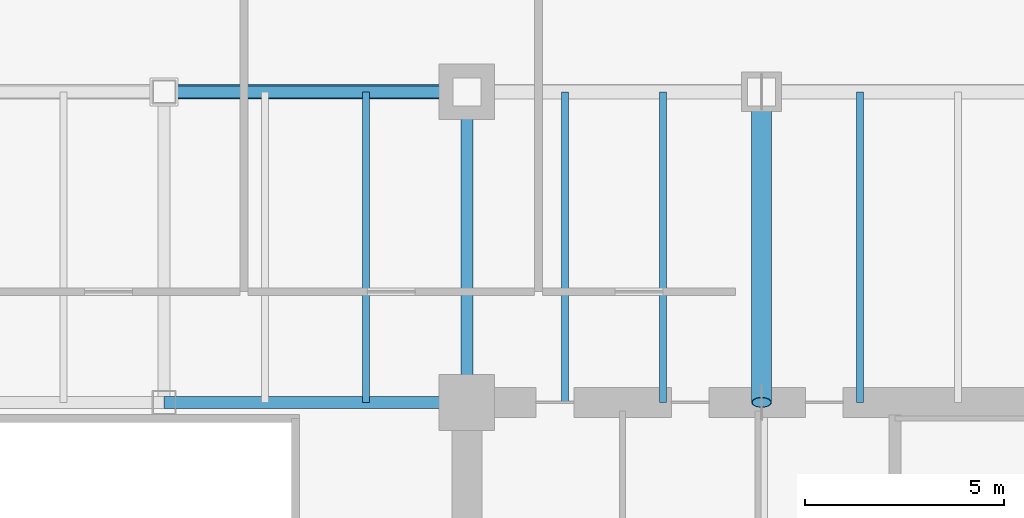
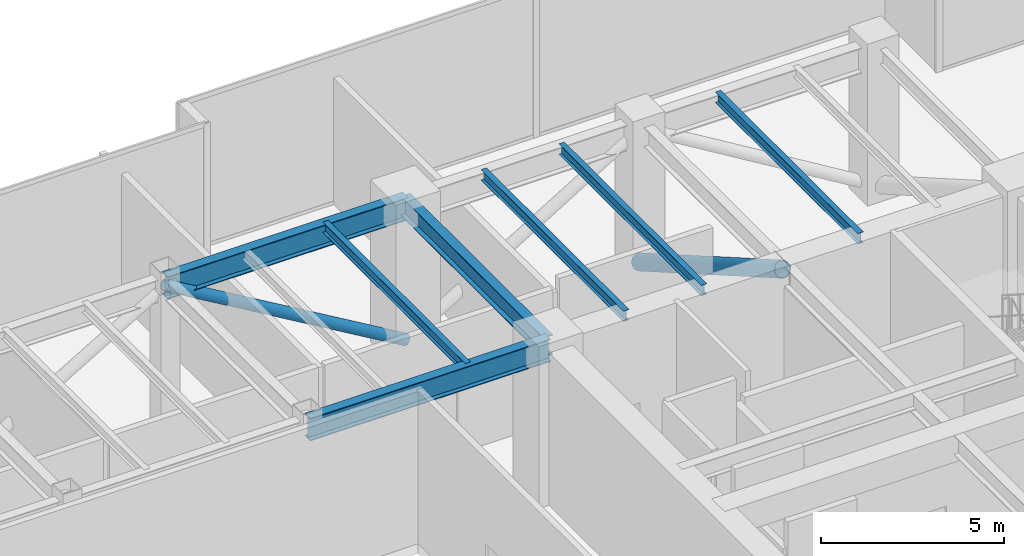
# One storey, part 19 of 38: 7 beams, 2 members.
"""IFC4 building model written with IfcOpenShell, lengths in metres."""

import ifcopenshell
import ifcopenshell.guid

model = None  # the IFC model being written
_history = None  # IfcOwnerHistory: only IFC2X3 demands one
_inside = {}  # id of a spatial element -> (the spatial element, [elements in it])
_under = {}  # id of a project, library or spatial element -> (it, [spatial elements below it])
_declared = {}  # id of a project -> (the project, [libraries it declares])
_typed = {}  # id of a type object -> (the type object, [elements of that type])
_made_of = {}  # id of a material, layer set ... -> (it, [elements and type objects made of it])


def new_model(schema):
    """Start an empty IFC model of exactly this schema.

    Asked for "IFC4X3", IfcOpenShell would pick the latest addendum, in which some entities
    have other attributes; the version numbers below select the first issue.
    IFC2X3 requires an IfcOwnerHistory on every rooted entity: one is made here for all.
    """
    global model, _history
    if schema == "IFC4X3":
        model = ifcopenshell.file(schema_version=(4, 3, 0, 0))
    else:
        model = ifcopenshell.file(schema=schema)
    _inside.clear()
    _under.clear()
    _declared.clear()
    _typed.clear()
    _made_of.clear()
    _history = None
    if model.schema == "IFC2X3":
        org = make("IfcOrganization", Name="unknown")
        user = make(
            "IfcPersonAndOrganization",
            ThePerson=make("IfcPerson", FamilyName="unknown"),
            TheOrganization=org,
        )
        app = make(
            "IfcApplication",
            ApplicationDeveloper=org,
            Version="unknown",
            ApplicationFullName="unknown",
            ApplicationIdentifier="unknown",
        )
        _history = make(
            "IfcOwnerHistory",
            OwningUser=user,
            OwningApplication=app,
            ChangeAction="ADDED",
            CreationDate=0,
        )
    return model


def make(cls, **values):
    """One entity of the class cls with the attributes given. An attribute that is None is left unset."""
    return model.create_entity(
        cls, **{name: value for name, value in values.items() if value is not None}
    )


def rooted(cls, **values):
    """An entity with a GlobalId (a new one), such as an element, a storey or a relation."""
    return make(cls, GlobalId=ifcopenshell.guid.new(), OwnerHistory=_history, **values)


def si_unit(unit_type, name, prefix=None):
    """IfcSIUnit, for example si_unit("LENGTHUNIT", "METRE", prefix="MILLI")."""
    return make("IfcSIUnit", UnitType=unit_type, Prefix=prefix, Name=name)


def assignment(units):
    """IfcUnitAssignment: the units of a project."""
    return None if units is None else make("IfcUnitAssignment", Units=units)


def point(xyz):
    """IfcCartesianPoint."""
    return None if xyz is None else make("IfcCartesianPoint", Coordinates=xyz)


def direction(xyz):
    """IfcDirection."""
    return None if xyz is None else make("IfcDirection", DirectionRatios=xyz)


def frame(location, z_axis=None, x_axis=None):
    """IfcAxis2Placement3D, a coordinate frame: its origin and axes. An axis left out is left unset."""
    return make(
        "IfcAxis2Placement3D",
        Location=point(location),
        Axis=direction(z_axis),
        RefDirection=direction(x_axis),
    )


def frame_2d(location, x_axis=None):
    """IfcAxis2Placement2D, a coordinate frame in the plane: its origin and x axis."""
    return make(
        "IfcAxis2Placement2D", Location=point(location), RefDirection=direction(x_axis)
    )


def origin():
    """The frame at (0, 0, 0) with its axes left unset."""
    return frame((0.0, 0.0, 0.0))


def origin_2d():
    """The frame at (0, 0) in the plane with its x axis left unset."""
    return frame_2d((0.0, 0.0))


def place(relative_to, where):
    """IfcLocalPlacement: puts the frame where relative to a parent placement (None: the world)."""
    return make(
        "IfcLocalPlacement", PlacementRelTo=relative_to, RelativePlacement=where
    )


def context(
    kind, dimensions, precision=None, world=None, true_north=None, identifier=None
):
    """IfcGeometricRepresentationContext, for example the 3D "Model" context."""
    return make(
        "IfcGeometricRepresentationContext",
        ContextIdentifier=identifier,
        ContextType=kind,
        CoordinateSpaceDimension=dimensions,
        Precision=precision,
        WorldCoordinateSystem=world,
        TrueNorth=true_north,
    )


def subcontext(parent, identifier, kind, view, scale=None):
    """IfcGeometricRepresentationSubContext, for example "Body" below "Model"."""
    return make(
        "IfcGeometricRepresentationSubContext",
        ContextIdentifier=identifier,
        ContextType=kind,
        ParentContext=parent,
        TargetScale=scale,
        TargetView=view,
    )


def project(units=None, contexts=None):
    """IfcProject with its units and contexts."""
    return rooted(
        "IfcProject",
        Name="project",
        RepresentationContexts=contexts,
        UnitsInContext=assignment(units),
    )


def spatial(cls, under=None, at=None, **own):
    """A site, building, storey or space (cls), placed at a placement, below another one or the project."""
    s = rooted(cls, ObjectPlacement=at, **own)
    if under is not None:
        _under.setdefault(under.id(), (under, []))[1].append(s)
    return s


def profile(cls, at=None, kind="AREA", **sizes):
    """A parametric profile (cls). Its sizes go by their IFC names, for example OverallWidth=200.0."""
    return make(cls, ProfileType=kind, Position=at, **sizes)


def hollow_circle(**sizes):
    """IfcCircleHollowProfileDef."""
    return profile("IfcCircleHollowProfileDef", **sizes)


def i_section(**sizes):
    """IfcIShapeProfileDef."""
    return profile("IfcIShapeProfileDef", **sizes)


def extrude(swept, where, along, depth):
    """IfcExtrudedAreaSolid: the profile swept, set in the frame where, extruded along a direction by depth."""
    return make(
        "IfcExtrudedAreaSolid",
        SweptArea=swept,
        Position=where,
        ExtrudedDirection=direction(along),
        Depth=depth,
    )


def shape(context_of_items, identifier, shape_type, items):
    """IfcShapeRepresentation: the items that make up one representation, for example the "Body"."""
    return make(
        "IfcShapeRepresentation",
        ContextOfItems=context_of_items,
        RepresentationIdentifier=identifier,
        RepresentationType=shape_type,
        Items=items,
    )


def source(mapping_origin, context_of_items, identifier, shape_type, items):
    """IfcRepresentationMap: a shape defined once, which mapped items show again and again."""
    return make(
        "IfcRepresentationMap",
        MappingOrigin=mapping_origin,
        MappedRepresentation=shape(context_of_items, identifier, shape_type, items),
    )


def transform(
    local_origin,
    x_axis=None,
    y_axis=None,
    z_axis=None,
    scale=None,
    scale2=None,
    scale3=None,
    uniform=True,
):
    """IfcCartesianTransformationOperator3D, or its non-uniform kind. x_axis, y_axis, z_axis: its Axis1, 2, 3."""
    if uniform:
        return make(
            "IfcCartesianTransformationOperator3D",
            Axis1=direction(x_axis),
            Axis2=direction(y_axis),
            LocalOrigin=point(local_origin),
            Scale=scale,
            Axis3=direction(z_axis),
        )
    return make(
        "IfcCartesianTransformationOperator3DnonUniform",
        Axis1=direction(x_axis),
        Axis2=direction(y_axis),
        LocalOrigin=point(local_origin),
        Scale=scale,
        Axis3=direction(z_axis),
        Scale2=scale2,
        Scale3=scale3,
    )


def mapped(mapping_source, mapping_target):
    """IfcMappedItem: shows the shape of a source again, moved by a transform."""
    return make(
        "IfcMappedItem", MappingSource=mapping_source, MappingTarget=mapping_target
    )


def material(Name=None, Category=None):
    """IfcMaterial."""
    return make("IfcMaterial", Name=Name, Category=Category)


def material_profile(
    of_material, cross_section, Name=None, Category=None, Priority=None
):
    """IfcMaterialProfile: a cross section and its material."""
    return make(
        "IfcMaterialProfile",
        Name=Name,
        Material=of_material,
        Profile=cross_section,
        Priority=Priority,
        Category=Category,
    )


def profile_set(profiles, Name=None, composite=None):
    """IfcMaterialProfileSet."""
    return make(
        "IfcMaterialProfileSet",
        Name=Name,
        MaterialProfiles=profiles,
        CompositeProfile=composite,
    )


def made_of(thing, what):
    """Note that an element or type object is made of a material, layer set ...; save() writes the relation."""
    if what is not None:
        _made_of.setdefault(what.id(), (what, []))[1].append(thing)
    return thing


def type_object(cls, material=None, **own):
    """A type object (cls), such as IfcWallType, which elements share."""
    return made_of(rooted(cls, **own), material)


def type_shapes(of_type, sources):
    """Give a type object the sources (RepresentationMaps) that its elements show as mapped items."""
    of_type.RepresentationMaps = sources


def element(
    cls,
    number,
    at=None,
    inside=None,
    cuts=None,
    type_object=None,
    material=None,
    context=None,
    identifier="Body",
    shape_type=None,
    held_by="IfcProductDefinitionShape",
    body=None,
    shapes=None,
    **own,
):
    """One element of the class cls, such as IfcWall. Its Tag is "e" and its number.

    at: its placement. inside: the storey or other place that contains it. cuts: it is an
    opening in that element (IfcRelVoidsElement). A single representation is given by context,
    identifier, shape_type and body (its items); several are given by shapes. held_by: the class
    of the entity that holds the representations. save() writes the other relations.
    """
    e = rooted(cls, Tag="e%d" % number, ObjectPlacement=at, **own)
    if body is not None:
        shapes = [shape(context, identifier, shape_type, body)]
    if shapes is not None:
        e.Representation = make(held_by, Representations=shapes)
    if inside is not None:
        _inside.setdefault(inside.id(), (inside, []))[1].append(e)
    if cuts is not None:
        rooted(
            "IfcRelVoidsElement", RelatingBuildingElement=cuts, RelatedOpeningElement=e
        )
    if type_object is not None:
        _typed.setdefault(type_object.id(), (type_object, []))[1].append(e)
    return made_of(e, material)


def aggregate(whole, parts):
    """IfcRelAggregates: a whole, such as a stair, and the parts it consists of."""
    return rooted("IfcRelAggregates", RelatingObject=whole, RelatedObjects=parts)


def save(model, path):
    """Write the relations noted so far, then the file.

    IfcRelAggregates (storeys below a building ...), IfcRelContainedInSpatialStructure (elements
    in a storey), IfcRelDefinesByType, IfcRelAssociatesMaterial and IfcRelDeclares: one each for
    every whole, place, type object, material and project.
    """
    for whole, parts in _under.values():
        aggregate(whole, parts)
    for where, things in _inside.values():
        rooted(
            "IfcRelContainedInSpatialStructure",
            RelatedElements=things,
            RelatingStructure=where,
        )
    for kind, things in _typed.values():
        rooted("IfcRelDefinesByType", RelatedObjects=things, RelatingType=kind)
    for what, things in _made_of.values():
        rooted("IfcRelAssociatesMaterial", RelatedObjects=things, RelatingMaterial=what)
    for by, libraries in _declared.values():
        rooted("IfcRelDeclares", RelatingContext=by, RelatedDefinitions=libraries)
    model.write(path)


model = new_model("IFC4")

# Units and contexts
model_context = context("Model", 3, precision=1e-05, world=origin(), true_north=direction((0.0, 1.0)))
body_context = subcontext(model_context, "Body", "Model", "MODEL_VIEW")
ifc_project = project(units=[si_unit("LENGTHUNIT", "METRE"), si_unit("AREAUNIT", "SQUARE_METRE"), si_unit("VOLUMEUNIT", "CUBIC_METRE"), si_unit("PLANEANGLEUNIT", "RADIAN"), si_unit("MASSUNIT", "GRAM", prefix="KILO")], contexts=[model_context])

# Site, building, storey
site_placement = place(None, origin())
site = spatial("IfcSite", under=ifc_project, at=site_placement, CompositionType="ELEMENT")
building_placement = place(site_placement, origin())
building = spatial("IfcBuilding", under=site, at=building_placement, Name="Haelvirn Gate Laboratories", CompositionType="ELEMENT")
storey_placement = place(building_placement, frame((0.0, 0.0, 94.89990234375)))
storey = spatial("IfcBuildingStorey", under=building, at=storey_placement, Name="L23", CompositionType="ELEMENT", Elevation=94.89990234375)

# Beams
ifc_material_1 = material(Name="Steel SM355", Category="steel")
ifc_material_profile_1 = material_profile(ifc_material_1, i_section(OverallWidth=0.300048828125, OverallDepth=0.75, WebThickness=0.013916015625, FlangeThickness=0.02392578125, at=origin_2d()), Name="H-750x300x14x24")
ifc_profile_set_1 = profile_set([ifc_material_profile_1], Name="Steel SM355")
beam_type_1 = type_object("IfcBeamType", Name="BM-G-750", PredefinedType="BEAM", material=ifc_profile_set_1)
shared_shape_1 = source(origin(), body_context, "Body", "SweptSolid", [
    extrude(i_section(OverallWidth=0.300048828125, OverallDepth=0.75, WebThickness=0.013916015625, FlangeThickness=0.02392578125, at=origin_2d()), origin(), (0.0, 0.0, 1.0), 7.60009765625),
])
type_shapes(beam_type_1, [shared_shape_1])
for number, where, z_axis, x_axis, name in (
    (1, (45.0, 33.800048828125, 4.715087890625), (1.0, 0.0, 0.0), (0.0, 1.0, 0.0), "L23 Primary Girder Y33.8 (45.0-52.6)"),
    (2, (45.0, 41.60009765625, 4.715087890625), (1.0, 0.0, 0.0), (0.0, 1.0, 0.0), "L23 Primary Girder Y41.6 (45.0-52.6)"),
):
    element("IfcBeam", number, at=place(storey_placement, frame(where, z_axis=z_axis, x_axis=x_axis)), inside=storey, type_object=beam_type_1, Name=name, PredefinedType="BEAM", context=body_context, shape_type="MappedRepresentation", body=[
        mapped(shared_shape_1, transform((0.0, 0.0, 0.0), scale=1.0)),
    ])
ifc_material_profile_2 = material_profile(ifc_material_1, i_section(OverallWidth=0.175048828125, OverallDepth=0.35009765625, WebThickness=0.007080078125, FlangeThickness=0.010986328125, at=origin_2d()), Name="H-350x175x7x11")
ifc_profile_set_2 = profile_set([ifc_material_profile_2], Name="Steel SM355")
beam_type_2 = type_object("IfcBeamType", Name="BM-J-350", PredefinedType="JOIST", material=ifc_profile_set_2)
shared_shape_2 = source(origin(), body_context, "Body", "SweptSolid", [
    extrude(i_section(OverallWidth=0.175048828125, OverallDepth=0.35009765625, WebThickness=0.007080078125, FlangeThickness=0.010986328125, at=origin_2d()), origin(), (0.0, 0.0, 1.0), 7.800048828125),
])
type_shapes(beam_type_2, [shared_shape_2])
for number, where, z_axis, x_axis, name in (
    (3, (50.070068359375, 33.800048828125, 4.9150390625), (0.0, 1.0, 0.0), (-1.0, 0.0, 0.0), "L23 Composite Lab Joist North X50.07"),
    (4, (55.070068359375, 33.800048828125, 4.9150390625), (0.0, 1.0, 0.0), (-1.0, 0.0, 0.0), "L23 Composite Lab Joist North X55.07"),
    (5, (57.530029296875, 33.800048828125, 4.9150390625), (0.0, 1.0, 0.0), (-1.0, 0.0, 0.0), "L23 Composite Lab Joist North X57.53"),
    (6, (62.469970703125, 33.800048828125, 4.9150390625), (0.0, 1.0, 0.0), (-1.0, 0.0, 0.0), "L23 Composite Lab Joist North X62.47"),
):
    element("IfcBeam", number, at=place(storey_placement, frame(where, z_axis=z_axis, x_axis=x_axis)), inside=storey, type_object=beam_type_2, Name=name, PredefinedType="JOIST", context=body_context, shape_type="MappedRepresentation", body=[
        mapped(shared_shape_2, transform((0.0, 0.0, 0.0), scale=1.0)),
    ])
ifc_material_profile_3 = material_profile(ifc_material_1, i_section(OverallWidth=0.300048828125, OverallDepth=0.64990234375, WebThickness=0.012939453125, FlangeThickness=0.02197265625, at=origin_2d()), Name="H-650x300x13x22")
ifc_profile_set_3 = profile_set([ifc_material_profile_3], Name="Steel SM355")
beam_type_3 = type_object("IfcBeamType", Name="BM-G-650", PredefinedType="BEAM", material=ifc_profile_set_3)
shared_shape_3 = source(origin(), body_context, "Body", "SweptSolid", [
    extrude(i_section(OverallWidth=0.300048828125, OverallDepth=0.64990234375, WebThickness=0.012939453125, FlangeThickness=0.02197265625, at=origin_2d()), origin(), (0.0, 0.0, 1.0), 7.800048828125),
])
type_shapes(beam_type_3, [shared_shape_3])
beam_placement = place(storey_placement, frame((52.60009765625, 33.800048828125, 4.76513671875), z_axis=(0.0, 1.0, 0.0), x_axis=(-1.0, 0.0, 0.0)))
element("IfcBeam", 7, at=beam_placement, inside=storey, type_object=beam_type_3, Name="L23 Frame Girder X52.6 (33.8-41.6)", PredefinedType="BEAM", context=body_context, shape_type="MappedRepresentation", body=[
    mapped(shared_shape_3, transform((0.0, 0.0, 0.0), scale=1.0)),
])

# Members
ifc_material_2 = material(Name="Steel SM420", Category="steel")
ifc_material_profile_4 = material_profile(ifc_material_2, hollow_circle(Radius=0.25390625, WallThickness=0.02001953125, at=origin_2d()), Name="CHS-508x20")
ifc_profile_set_4 = profile_set([ifc_material_profile_4], Name="Steel SM420")
member_type_1 = type_object("IfcMemberType", Name="MEM-OUTRIG-1", PredefinedType="BRACE", material=ifc_profile_set_4)
shared_shape_4 = source(origin(), body_context, "Body", "SweptSolid", [
    extrude(hollow_circle(Radius=0.25390625, WallThickness=0.02001953125, at=origin_2d()), origin(), (0.0, 0.0, 1.0), 9.0),
])
type_shapes(member_type_1, [shared_shape_4])
member_1_placement = place(storey_placement, frame((60.0, 33.800048828125, 4.739990234375), z_axis=(0.0, 0.866667951138, -0.498885420182), x_axis=(-1.0, 0.0, 0.0)))
element("IfcMember", 8, at=member_1_placement, inside=storey, type_object=member_type_1, Name="L23 Outrigger Truss Arm EN1", PredefinedType="BRACE", context=body_context, shape_type="MappedRepresentation", body=[
    mapped(shared_shape_4, transform((0.0, 0.0, 0.0), scale=1.0)),
])
ifc_material_profile_5 = material_profile(ifc_material_1, hollow_circle(Radius=0.177734375, WallThickness=0.013916015625, at=origin_2d()), Name="CHS-355x14")
ifc_profile_set_5 = profile_set([ifc_material_profile_5], Name="Steel SM355")
member_type_2 = type_object("IfcMemberType", Name="MEM-BELT-1", PredefinedType="STRUT", material=ifc_profile_set_5)
shared_shape_5 = source(origin(), body_context, "Body", "SweptSolid", [
    extrude(hollow_circle(Radius=0.177734375, WallThickness=0.013916015625, at=origin_2d()), origin(), (0.0, 0.0, 1.0), 8.827392578125),
])
type_shapes(member_type_2, [shared_shape_5])
member_2_placement = place(storey_placement, frame((45.0, 41.60009765625, 4.739990234375), z_axis=(0.860974977709, 0.0, -0.508647311759), x_axis=(0.0, 1.0, 0.0)))
element("IfcMember", 9, at=member_2_placement, inside=storey, type_object=member_type_2, Name="L23 Perimeter Belt Truss N6", PredefinedType="STRUT", context=body_context, shape_type="MappedRepresentation", body=[
    mapped(shared_shape_5, transform((0.0, 0.0, 0.0), scale=1.0)),
])

save(model, "model.ifc")
